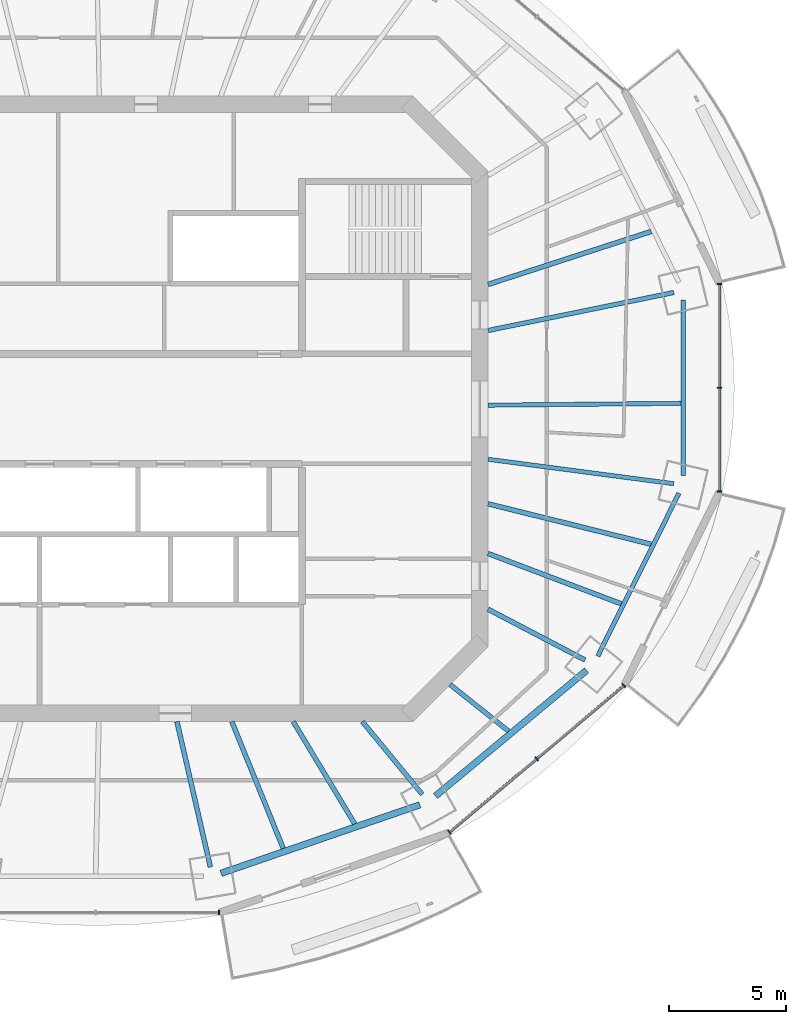
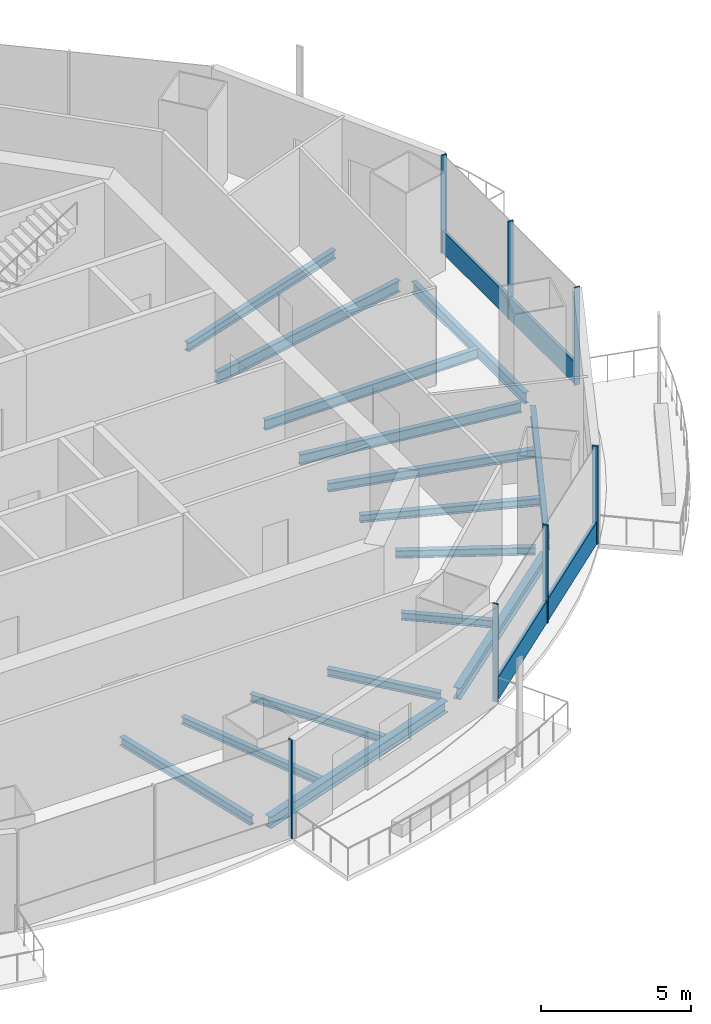
# One storey, part 4 of 16: 16 beams, 9 members, 3 elements without a shape of their own.
"""IFC4 building model written with IfcOpenShell, lengths in metres."""

from ifc_helpers import new_model, si_unit, direction, frame, origin, origin_2d, place, context, subcontext, project, spatial, rectangle, i_section, extrude, material, material_profile, profile_set, type_object, element, aggregate, save


model = new_model("IFC4")

# Units and contexts
model_context = context("Model", 3, precision=1e-05, world=origin(), true_north=direction((0.0, 1.0)))
body_context = subcontext(model_context, "Body", "Model", "MODEL_VIEW")
ifc_project = project(units=[si_unit("LENGTHUNIT", "METRE"), si_unit("AREAUNIT", "SQUARE_METRE"), si_unit("VOLUMEUNIT", "CUBIC_METRE"), si_unit("PLANEANGLEUNIT", "RADIAN"), si_unit("MASSUNIT", "GRAM", prefix="KILO")], contexts=[model_context])

# Site, building, storey
site_placement = place(None, origin())
site = spatial("IfcSite", under=ifc_project, at=site_placement, CompositionType="ELEMENT")
building_placement = place(site_placement, origin())
building = spatial("IfcBuilding", under=site, at=building_placement, Name="Marenthal Gate Tower", CompositionType="ELEMENT")
storey_placement = place(building_placement, frame((0.0, 0.0, 342.60009765625)))
storey = spatial("IfcBuildingStorey", under=building, at=storey_placement, Name="L77", CompositionType="ELEMENT", Elevation=342.60009765625)

# Curtain wall, member
ifc_material_1 = material(Name="Aluminium and glass", Category="aluminium")
curtain_wall_type = type_object("IfcCurtainWallType", Name="Curtain wall typical high", PredefinedType="NOTDEFINED", material=ifc_material_1)
curtain_wall_1_placement = place(storey_placement, origin())
curtain_wall_1 = element("IfcCurtainWall", 1, at=curtain_wall_1_placement, inside=storey, type_object=curtain_wall_type, Name="Curtain wall L77 bay 12", PredefinedType="NOTDEFINED")
ifc_material_2 = material(Name="Aluminium", Category="aluminium")
ifc_material_profile_1 = material_profile(ifc_material_2, rectangle(XDim=0.199951171875, YDim=0.06005859375, at=origin_2d()), Name="60x200 aluminium mullion")
ifc_profile_set_1 = profile_set([ifc_material_profile_1], Name="Aluminium")
member_type_1 = type_object("IfcMemberType", Name="Mullion 60x200 typical high", PredefinedType="MULLION", material=ifc_profile_set_1)
member_1_placement = place(storey_placement, frame((4.866455078125, -21.503173828125, 0.0), z_axis=(0.0, 0.0, 1.0), x_axis=(0.0, 1.0, 0.0)))
member_1 = element("IfcMember", 2, at=member_1_placement, type_object=member_type_1, Name="Mullion L77 bay 12.3", PredefinedType="MULLION", context=body_context, shape_type="SweptSolid", body=[
    extrude(rectangle(XDim=0.199951171875, YDim=0.06005859375, at=origin_2d()), origin(), (0.0, 0.0, 1.0), 3.969970703125),
])
aggregate(curtain_wall_1, [member_1])

# Curtain wall, members
curtain_wall_2_placement = place(storey_placement, origin())
curtain_wall_2 = element("IfcCurtainWall", 3, at=curtain_wall_2_placement, inside=storey, type_object=curtain_wall_type, Name="Curtain wall L77 bay 14", PredefinedType="NOTDEFINED")
member_2_placement = place(storey_placement, frame((14.7060546875, -18.072998046875, 0.0), z_axis=(0.0, 0.0, 1.0), x_axis=(-0.643800653639, 0.765193255572, 0.0)))
member_2 = element("IfcMember", 4, at=member_2_placement, type_object=member_type_1, Name="Mullion L77 bay 14.1", PredefinedType="MULLION", context=body_context, shape_type="SweptSolid", body=[
    extrude(rectangle(XDim=0.199951171875, YDim=0.06005859375, at=origin_2d()), origin(), (0.0, 0.0, 1.0), 3.969970703125),
])
member_3_placement = place(storey_placement, frame((18.428466796875, -14.94140625, 0.0), z_axis=(0.0, 0.0, 1.0), x_axis=(-0.643800653639, 0.765193255572, 0.0)))
member_3 = element("IfcMember", 5, at=member_3_placement, type_object=member_type_1, Name="Mullion L77 bay 14.2", PredefinedType="MULLION", context=body_context, shape_type="SweptSolid", body=[
    extrude(rectangle(XDim=0.199951171875, YDim=0.06005859375, at=origin_2d()), origin(), (0.0, 0.0, 1.0), 3.969970703125),
])
member_4_placement = place(storey_placement, frame((22.150634765625, -11.8095703125, 0.0), z_axis=(0.0, 0.0, 1.0), x_axis=(-0.643800653639, 0.765193255572, 0.0)))
member_4 = element("IfcMember", 6, at=member_4_placement, type_object=member_type_1, Name="Mullion L77 bay 14.3", PredefinedType="MULLION", context=body_context, shape_type="SweptSolid", body=[
    extrude(rectangle(XDim=0.199951171875, YDim=0.06005859375, at=origin_2d()), origin(), (0.0, 0.0, 1.0), 3.969970703125),
])

curtain_wall_3_placement = place(storey_placement, origin())
curtain_wall_3 = element("IfcCurtainWall", 7, at=curtain_wall_3_placement, inside=storey, type_object=curtain_wall_type, Name="Curtain wall L77 bay 16", PredefinedType="NOTDEFINED")
member_5_placement = place(storey_placement, frame((26.227294921875, -3.5263671875, 0.0), z_axis=(0.0, 0.0, 1.0), x_axis=(-1.0, 0.0, 0.0)))
member_5 = element("IfcMember", 8, at=member_5_placement, type_object=member_type_1, Name="Mullion L77 bay 16.1", PredefinedType="MULLION", context=body_context, shape_type="SweptSolid", body=[
    extrude(rectangle(XDim=0.199951171875, YDim=0.06005859375, at=origin_2d()), origin(), (0.0, 0.0, 1.0), 3.969970703125),
])
member_6_placement = place(storey_placement, frame((26.227294921875, 0.89990234375, 0.0), z_axis=(0.0, 0.0, 1.0), x_axis=(-1.0, 0.0, 0.0)))
member_6 = element("IfcMember", 9, at=member_6_placement, type_object=member_type_1, Name="Mullion L77 bay 16.2", PredefinedType="MULLION", context=body_context, shape_type="SweptSolid", body=[
    extrude(rectangle(XDim=0.199951171875, YDim=0.06005859375, at=origin_2d()), origin(), (0.0, 0.0, 1.0), 3.969970703125),
])
member_7_placement = place(storey_placement, frame((26.227294921875, 5.326416015625, 0.0), z_axis=(0.0, 0.0, 1.0), x_axis=(-1.0, 0.0, 0.0)))
member_7 = element("IfcMember", 10, at=member_7_placement, type_object=member_type_1, Name="Mullion L77 bay 16.3", PredefinedType="MULLION", context=body_context, shape_type="SweptSolid", body=[
    extrude(rectangle(XDim=0.199951171875, YDim=0.06005859375, at=origin_2d()), origin(), (0.0, 0.0, 1.0), 3.969970703125),
])

# Member
ifc_material_3 = material(Name="Aluminium", Category="aluminium")
ifc_material_profile_2 = material_profile(ifc_material_3, rectangle(XDim=0.1201171875, YDim=0.89990234375, at=origin_2d()), Name="120x900 aluminium transom")
ifc_profile_set_2 = profile_set([ifc_material_profile_2], Name="Aluminium")
member_type_2 = type_object("IfcMemberType", Name="Transom 120x900 typical high", PredefinedType="USERDEFINED", material=ifc_profile_set_2)
member_8_placement = place(storey_placement, frame((14.72900390625, -18.0537109375, 0.449951171875), z_axis=(0.765197260539, 0.643795893482, 0.0), x_axis=(-0.643795893482, 0.765197260539, 0.0)))
member_8 = element("IfcMember", 11, at=member_8_placement, type_object=member_type_2, Name="Transom L77 bay 14", ObjectType="TRANSOM", PredefinedType="USERDEFINED", context=body_context, shape_type="SweptSolid", body=[
    extrude(rectangle(XDim=0.1201171875, YDim=0.89990234375, at=origin_2d()), origin(), (0.0, 0.0, 1.0), 9.6689453125),
])

aggregate(curtain_wall_2, [member_2, member_3, member_4, member_8])

member_9_placement = place(storey_placement, frame((26.227294921875, -3.496337890625, 0.449951171875), z_axis=(0.0, 1.0, 0.0), x_axis=(-1.0, 0.0, 0.0)))
member_9 = element("IfcMember", 12, at=member_9_placement, type_object=member_type_2, Name="Transom L77 bay 16", ObjectType="TRANSOM", PredefinedType="USERDEFINED", context=body_context, shape_type="SweptSolid", body=[
    extrude(rectangle(XDim=0.1201171875, YDim=0.89990234375, at=origin_2d()), origin(), (0.0, 0.0, 1.0), 8.792724609375),
])

aggregate(curtain_wall_3, [member_5, member_6, member_7, member_9])

# Beams
ifc_material_4 = material(Name="Steel S355", Category="steel")
ifc_material_profile_3 = material_profile(ifc_material_4, i_section(OverallWidth=0.202880859375, OverallDepth=0.302001953125, WebThickness=0.007568359375, FlangeThickness=0.01318359375, FilletRadius=0.0126953125, at=origin_2d()), Name="W310X60")
ifc_profile_set_3 = profile_set([ifc_material_profile_3], Name="Steel S355")
beam_type_1 = type_object("IfcBeamType", Name="W310X60 beam", PredefinedType="BEAM", material=ifc_profile_set_3)
beam_1_placement = place(storey_placement, frame((7.608154296875, -18.765869140625, -0.3310546875), z_axis=(-0.375701229811, 0.926740840753, 0.0), x_axis=(-0.926740840753, -0.375701229811, 0.0)))
element("IfcBeam", 13, at=beam_1_placement, inside=storey, type_object=beam_type_1, Name="BM-L77-35", PredefinedType="BEAM", context=body_context, shape_type="SweptSolid", body=[
    extrude(i_section(OverallWidth=0.202880859375, OverallDepth=0.302001953125, WebThickness=0.007568359375, FlangeThickness=0.01318359375, FilletRadius=0.0126953125, at=origin_2d()), origin(), (0.0, 0.0, 1.0), 5.843994140625),
])
beam_2_placement = place(storey_placement, frame((10.659423828125, -17.71484375, -0.3310546875), z_axis=(-0.515559638843, 0.856853697428, 0.0), x_axis=(-0.856853697428, -0.515559638843, 0.0)))
element("IfcBeam", 14, at=beam_2_placement, inside=storey, type_object=beam_type_1, Name="BM-L77-36", PredefinedType="BEAM", context=body_context, shape_type="SweptSolid", body=[
    extrude(i_section(OverallWidth=0.202880859375, OverallDepth=0.302001953125, WebThickness=0.007568359375, FlangeThickness=0.01318359375, FilletRadius=0.0126953125, at=origin_2d()), origin(), (0.0, 0.0, 1.0), 5.093994140625),
])
beam_3_placement = place(storey_placement, frame((17.22119140625, -13.756591796875, -0.3310546875), z_axis=(-0.781331575315, 0.62411615058, 0.0), x_axis=(-0.62411615058, -0.781331575315, 0.0)))
element("IfcBeam", 15, at=beam_3_placement, inside=storey, type_object=beam_type_1, Name="BM-L77-37", PredefinedType="BEAM", context=body_context, shape_type="SweptSolid", body=[
    extrude(i_section(OverallWidth=0.202880859375, OverallDepth=0.302001953125, WebThickness=0.007568359375, FlangeThickness=0.01318359375, FilletRadius=0.0126953125, at=origin_2d()), origin(), (0.0, 0.0, 1.0), 3.189697265625),
])
ifc_material_5 = material(Name="Steel S355", Category="steel")
ifc_material_profile_4 = material_profile(ifc_material_5, i_section(OverallWidth=0.205078125, OverallDepth=0.31005859375, WebThickness=0.009521484375, FlangeThickness=0.016357421875, FilletRadius=0.0126953125, at=origin_2d()), Name="W310X74")
ifc_profile_set_4 = profile_set([ifc_material_profile_4], Name="Steel S355")
beam_type_2 = type_object("IfcBeamType", Name="W310X74 beam", PredefinedType="BEAM", material=ifc_profile_set_4)
beam_4_placement = place(storey_placement, frame((13.541748046875, -16.458251953125, -0.335205078125), z_axis=(-0.635369145441, 0.772208552803, 0.0), x_axis=(-0.772208552803, -0.635369145441, 0.0)))
element("IfcBeam", 16, at=beam_4_placement, inside=storey, type_object=beam_type_2, Name="BM-L77-14", PredefinedType="BEAM", context=body_context, shape_type="SweptSolid", body=[
    extrude(i_section(OverallWidth=0.205078125, OverallDepth=0.31005859375, WebThickness=0.009521484375, FlangeThickness=0.016357421875, FilletRadius=0.0126953125, at=origin_2d()), origin(), (0.0, 0.0, 1.0), 4.02490234375),
])
beam_5_placement = place(storey_placement, frame((20.489990234375, -10.718994140625, -0.335205078125), z_axis=(-0.886072788462, 0.463546128823, 0.0), x_axis=(-0.463546128823, -0.886072788462, 0.0)))
element("IfcBeam", 17, at=beam_5_placement, inside=storey, type_object=beam_type_2, Name="BM-L77-15", PredefinedType="BEAM", context=body_context, shape_type="SweptSolid", body=[
    extrude(i_section(OverallWidth=0.205078125, OverallDepth=0.31005859375, WebThickness=0.009521484375, FlangeThickness=0.016357421875, FilletRadius=0.0126953125, at=origin_2d()), origin(), (0.0, 0.0, 1.0), 4.672119140625),
])
beam_6_placement = place(storey_placement, frame((22.04248046875, -8.32373046875, -0.335205078125), z_axis=(-0.935515417744, 0.353285866068, 0.0), x_axis=(-0.353285866068, -0.935515417744, 0.0)))
element("IfcBeam", 18, at=beam_6_placement, inside=storey, type_object=beam_type_2, Name="BM-L77-38", PredefinedType="BEAM", context=body_context, shape_type="SweptSolid", body=[
    extrude(i_section(OverallWidth=0.205078125, OverallDepth=0.31005859375, WebThickness=0.009521484375, FlangeThickness=0.016357421875, FilletRadius=0.0126953125, at=origin_2d()), origin(), (0.0, 0.0, 1.0), 6.084716796875),
])
ifc_material_6 = material(Name="Steel S355", Category="steel")
ifc_material_profile_5 = material_profile(ifc_material_6, i_section(OverallWidth=0.205078125, OverallDepth=0.35302734375, WebThickness=0.009521484375, FlangeThickness=0.016845703125, FilletRadius=0.014892578125, at=origin_2d()), Name="W360X79")
ifc_profile_set_5 = profile_set([ifc_material_profile_5], Name="Steel S355")
beam_type_3 = type_object("IfcBeamType", Name="W360X79 beam", PredefinedType="BEAM", material=ifc_profile_set_5)
beam_7_placement = place(storey_placement, frame((4.498291015625, -19.56201171875, -0.356689453125), z_axis=(-0.224106949433, 0.974564556721, 0.0), x_axis=(-0.974564556721, -0.224106949433, 0.0)))
element("IfcBeam", 19, at=beam_7_placement, inside=storey, type_object=beam_type_3, Name="BM-L77-13", PredefinedType="BEAM", context=body_context, shape_type="SweptSolid", body=[
    extrude(i_section(OverallWidth=0.205078125, OverallDepth=0.35302734375, WebThickness=0.009521484375, FlangeThickness=0.016845703125, FilletRadius=0.014892578125, at=origin_2d()), origin(), (0.0, 0.0, 1.0), 6.3740234375),
])
beam_8_placement = place(storey_placement, frame((23.313232421875, 7.572998046875, -0.356689453125), z_axis=(-0.951076454557, -0.308955623978, 0.0), x_axis=(0.308955623978, -0.951076454557, 0.0)))
element("IfcBeam", 20, at=beam_8_placement, inside=storey, type_object=beam_type_3, Name="BM-L77-17", PredefinedType="BEAM", context=body_context, shape_type="SweptSolid", body=[
    extrude(i_section(OverallWidth=0.205078125, OverallDepth=0.35302734375, WebThickness=0.009521484375, FlangeThickness=0.016845703125, FilletRadius=0.014892578125, at=origin_2d()), origin(), (0.0, 0.0, 1.0), 7.3212890625),
])
beam_9_placement = place(storey_placement, frame((23.31005859375, -5.779296875, -0.356689453125), z_axis=(-0.970613311101, 0.240644551805, 0.0), x_axis=(-0.240644551805, -0.970613311101, 0.0)))
element("IfcBeam", 21, at=beam_9_placement, inside=storey, type_object=beam_type_3, Name="BM-L77-39", PredefinedType="BEAM", context=body_context, shape_type="SweptSolid", body=[
    extrude(i_section(OverallWidth=0.205078125, OverallDepth=0.35302734375, WebThickness=0.009521484375, FlangeThickness=0.016845703125, FilletRadius=0.014892578125, at=origin_2d()), origin(), (0.0, 0.0, 1.0), 7.170654296875),
])
ifc_material_7 = material(Name="Steel S355", Category="steel")
ifc_material_profile_6 = material_profile(ifc_material_7, i_section(OverallWidth=0.180908203125, OverallDepth=0.4169921875, WebThickness=0.010986328125, FlangeThickness=0.018310546875, FilletRadius=0.01025390625, at=origin_2d()), Name="W410X85")
ifc_profile_set_6 = profile_set([ifc_material_profile_6], Name="Steel S355")
beam_type_4 = type_object("IfcBeamType", Name="W410X85 beam", PredefinedType="BEAM", material=ifc_profile_set_6)
beam_10_placement = place(storey_placement, frame((24.2763671875, -3.1953125, -0.388671875), z_axis=(-0.991445770235, 0.130519288548, 0.0), x_axis=(-0.130519288548, -0.991445770235, 0.0)))
element("IfcBeam", 22, at=beam_10_placement, inside=storey, type_object=beam_type_4, Name="BM-L77-16", PredefinedType="BEAM", context=body_context, shape_type="SweptSolid", body=[
    extrude(i_section(OverallWidth=0.180908203125, OverallDepth=0.4169921875, WebThickness=0.010986328125, FlangeThickness=0.018310546875, FilletRadius=0.01025390625, at=origin_2d()), origin(), (0.0, 0.0, 1.0), 7.99462890625),
])
beam_11_placement = place(storey_placement, frame((24.582275390625, 0.2353515625, -0.388671875), z_axis=(-0.999954122918, -0.00957872955, 0.0), x_axis=(0.00957872955, -0.999954122918, 0.0)))
element("IfcBeam", 23, at=beam_11_placement, inside=storey, type_object=beam_type_4, Name="BM-L77-40", PredefinedType="BEAM", context=body_context, shape_type="SweptSolid", body=[
    extrude(i_section(OverallWidth=0.180908203125, OverallDepth=0.4169921875, WebThickness=0.010986328125, FlangeThickness=0.018310546875, FilletRadius=0.01025390625, at=origin_2d()), origin(), (0.0, 0.0, 1.0), 8.232666015625),
])
ifc_material_8 = material(Name="Steel S355", Category="steel")
ifc_material_profile_7 = material_profile(ifc_material_8, i_section(OverallWidth=0.279052734375, OverallDepth=0.4619140625, WebThickness=0.0107421875, FlangeThickness=0.017333984375, FilletRadius=0.010009765625, at=origin_2d()), Name="W460X113")
ifc_profile_set_7 = profile_set([ifc_material_profile_7], Name="Steel S355")
beam_type_5 = type_object("IfcBeamType", Name="W460X113 beam", PredefinedType="BEAM", material=ifc_profile_set_7)
beam_12_placement = place(storey_placement, frame((4.95458984375, -19.827392578125, -0.4111328125), z_axis=(0.945482518799, 0.325672852179, 0.0), x_axis=(-0.325672852179, 0.945482518799, 0.0)))
element("IfcBeam", 24, at=beam_12_placement, inside=storey, type_object=beam_type_5, Name="BM-L77-53", PredefinedType="BEAM", context=body_context, shape_type="SweptSolid", body=[
    extrude(i_section(OverallWidth=0.279052734375, OverallDepth=0.4619140625, WebThickness=0.0107421875, FlangeThickness=0.017333984375, FilletRadius=0.010009765625, at=origin_2d()), origin(), (0.0, 0.0, 1.0), 8.97265625),
])
beam_13_placement = place(storey_placement, frame((14.105712890625, -16.529052734375, -0.4111328125), z_axis=(0.768886227591, 0.639385618403, 0.0), x_axis=(-0.639385618403, 0.768886227591, 0.0)))
element("IfcBeam", 25, at=beam_13_placement, inside=storey, type_object=beam_type_5, Name="BM-L77-54", PredefinedType="BEAM", context=body_context, shape_type="SweptSolid", body=[
    extrude(i_section(OverallWidth=0.279052734375, OverallDepth=0.4619140625, WebThickness=0.0107421875, FlangeThickness=0.017333984375, FilletRadius=0.010009765625, at=origin_2d()), origin(), (0.0, 0.0, 1.0), 8.39111328125),
])
ifc_material_9 = material(Name="Steel S355", Category="steel")
ifc_material_profile_8 = material_profile(ifc_material_9, i_section(OverallWidth=0.19091796875, OverallDepth=0.45703125, WebThickness=0.009033203125, FlangeThickness=0.014404296875, FilletRadius=0.01025390625, at=origin_2d()), Name="W460X74")
ifc_profile_set_8 = profile_set([ifc_material_profile_8], Name="Steel S355")
beam_type_6 = type_object("IfcBeamType", Name="W460X74 beam", PredefinedType="BEAM", material=ifc_profile_set_8)
beam_14_placement = place(storey_placement, frame((21.0361328125, -10.558349609375, -0.40869140625), z_axis=(0.445880705054, 0.895092395712, 0.0), x_axis=(-0.895092395712, 0.445880705054, 0.0)))
element("IfcBeam", 26, at=beam_14_placement, inside=storey, type_object=beam_type_6, Name="BM-L77-55", PredefinedType="BEAM", context=body_context, shape_type="SweptSolid", body=[
    extrude(i_section(OverallWidth=0.19091796875, OverallDepth=0.45703125, WebThickness=0.009033203125, FlangeThickness=0.014404296875, FilletRadius=0.01025390625, at=origin_2d()), origin(), (0.0, 0.0, 1.0), 7.76904296875),
])
beam_15_placement = place(storey_placement, frame((24.677734375, -2.848388671875, -0.40869140625), z_axis=(0.0, 1.0, 0.0), x_axis=(-1.0, 0.0, 0.0)))
element("IfcBeam", 27, at=beam_15_placement, inside=storey, type_object=beam_type_6, Name="BM-L77-56", PredefinedType="BEAM", context=body_context, shape_type="SweptSolid", body=[
    extrude(i_section(OverallWidth=0.19091796875, OverallDepth=0.45703125, WebThickness=0.009033203125, FlangeThickness=0.014404296875, FilletRadius=0.01025390625, at=origin_2d()), origin(), (0.0, 0.0, 1.0), 7.49658203125),
])
ifc_material_10 = material(Name="Steel S355", Category="steel")
ifc_material_profile_9 = material_profile(ifc_material_10, i_section(OverallWidth=0.193115234375, OverallDepth=0.467041015625, WebThickness=0.011474609375, FlangeThickness=0.01904296875, FilletRadius=0.010009765625, at=origin_2d()), Name="W460X97")
ifc_profile_set_9 = profile_set([ifc_material_profile_9], Name="Steel S355")
beam_type_7 = type_object("IfcBeamType", Name="W460X97 beam", PredefinedType="BEAM", material=ifc_profile_set_9)
beam_16_placement = place(storey_placement, frame((24.285400390625, 4.9677734375, -0.41357421875), z_axis=(-0.979711031697, -0.200415304733, 0.0), x_axis=(0.200415304733, -0.979711031697, 0.0)))
element("IfcBeam", 28, at=beam_16_placement, inside=storey, type_object=beam_type_7, Name="BM-L77-01", PredefinedType="BEAM", context=body_context, shape_type="SweptSolid", body=[
    extrude(i_section(OverallWidth=0.193115234375, OverallDepth=0.467041015625, WebThickness=0.011474609375, FlangeThickness=0.01904296875, FilletRadius=0.010009765625, at=origin_2d()), origin(), (0.0, 0.0, 1.0), 8.099609375),
])

save(model, "model.ifc")
